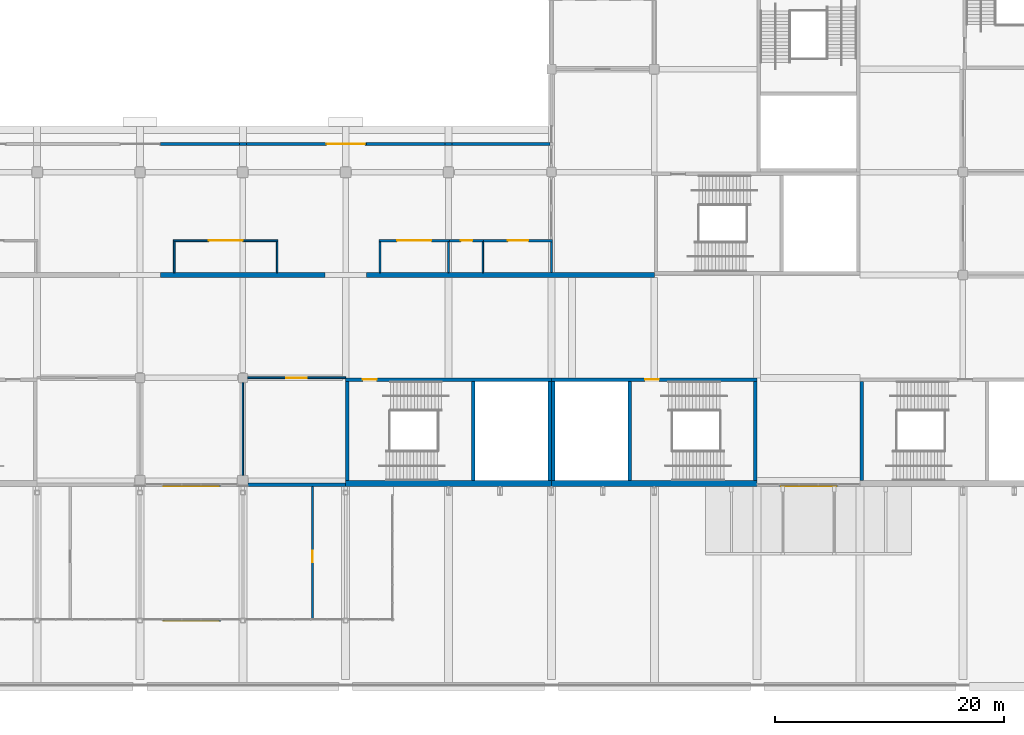
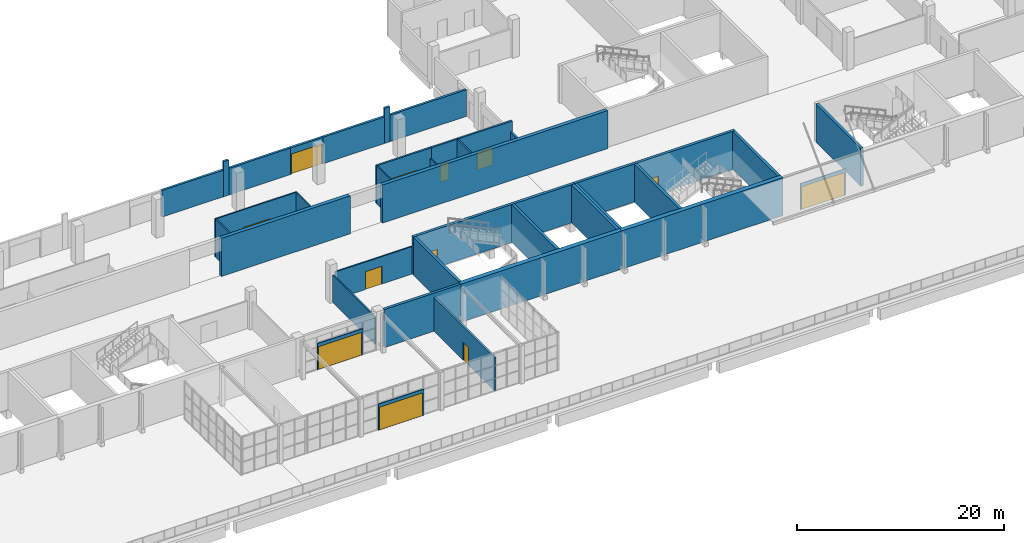
# One storey, part 99 of 168: 37 walls, 12 doors, 12 openings.
"""IFC4 building model written with IfcOpenShell, lengths in metres."""

from ifc_helpers import new_model, si_unit, direction, frame, frame_2d, origin, place, context, subcontext, project, spatial, rectangle, extrude, material, layer, layer_set, type_object, element, fill, save


model = new_model("IFC4")

# Units and contexts
model_context = context("Model", 3, precision=1e-05, world=origin(), true_north=direction((0.0, 1.0)))
body_context = subcontext(model_context, "Body", "Model", "MODEL_VIEW")
ifc_project = project(units=[si_unit("LENGTHUNIT", "METRE"), si_unit("AREAUNIT", "SQUARE_METRE"), si_unit("VOLUMEUNIT", "CUBIC_METRE"), si_unit("PLANEANGLEUNIT", "RADIAN"), si_unit("MASSUNIT", "GRAM", prefix="KILO")], contexts=[model_context])

# Site, building, storey
site_placement = place(None, origin())
site = spatial("IfcSite", under=ifc_project, at=site_placement, CompositionType="ELEMENT")
building_placement = place(site_placement, origin())
building = spatial("IfcBuilding", under=site, at=building_placement, Name="Silverbay Arena", CompositionType="ELEMENT")
storey_placement = place(building_placement, frame((0.0, 0.0, 7.0)))
storey = spatial("IfcBuildingStorey", under=building, at=storey_placement, Name="L01", CompositionType="ELEMENT", Elevation=7.0)

# Wall
ifc_material_1 = material(Name="Concrete Grade C45 precast, board-marked finish", Category="concrete")
ifc_layer_1 = layer(ifc_material_1, 0.300048828125)
ifc_layer_set_1 = layer_set([ifc_layer_1], Name="Concrete Grade C45 precast, board-marked finish")
wall_type_1 = type_object("IfcWallType", Name="Board-marked precast wall 300", PredefinedType="SOLIDWALL", material=ifc_layer_set_1)
wall_1_placement = place(storey_placement, frame((135.449951171875, 17.64990234375, 0.0), z_axis=(0.0, 0.0, 1.0), x_axis=(1.0, 0.0, 0.0)))
element("IfcWall", 1, at=wall_1_placement, inside=storey, type_object=wall_type_1, Name="South external wall L01 bay 13", PredefinedType="SOLIDWALL", context=body_context, shape_type="SweptSolid", body=[
    extrude(rectangle(XDim=8.550048828125, YDim=0.300048828125, at=frame_2d((4.27490234375, 0.0))), origin(), (0.0, 0.0, 1.0), 4.5),
])

# Wall, opening, door
ifc_material_2 = material(Name="Concrete Grade C45", Category="concrete")
ifc_layer_2 = layer(ifc_material_2, 0.25)
ifc_layer_set_2 = layer_set([ifc_layer_2], Name="Concrete Grade C45")
wall_type_2 = type_object("IfcWallType", Name="Bowl enclosure wall RC 250 EI 120", PredefinedType="SOLIDWALL", material=ifc_layer_set_2)
wall_2_placement = place(storey_placement, frame((142.199951171875, 47.47509765625, 0.0), z_axis=(0.0, 0.0, 1.0), x_axis=(1.0, 0.0, 0.0)))
wall_2 = element("IfcWall", 2, at=wall_2_placement, inside=storey, type_object=wall_type_2, Name="portal vomitory South 144", PredefinedType="SOLIDWALL", context=body_context, shape_type="SweptSolid", body=[
    extrude(rectangle(XDim=3.60009765625, YDim=0.25, at=frame_2d((1.800048828125, 0.0))), origin(), (0.0, 0.0, 1.0), 3.14990234375),
])
opening_1_placement = place(wall_2_placement, frame((0.10009765625, 0.0, 0.0)))
opening_1 = element("IfcOpeningElement", 3, at=opening_1_placement, cuts=wall_2, Name="Opening L01-160", PredefinedType="OPENING", context=body_context, shape_type="SweptSolid", body=[
    extrude(rectangle(XDim=3.39990234375, YDim=2.39990234375, at=frame_2d((1.699951171875, 1.199951171875))), frame((0.0, 0.135009765625, 0.0), z_axis=(0.0, -1.0, 0.0), x_axis=(1.0, 0.0, 0.0)), (0.0, 0.0, 1.0), 0.27001953125),
])
ifc_material_3 = material(Name="Steel", Category="steel")
door_type_1 = type_object("IfcDoorType", Name="Fire door set 3400 x 2400 FD120S portal", OperationType="DOUBLE_DOOR_SINGLE_SWING", PredefinedType="DOOR", material=ifc_material_3)
door_1_placement = place(opening_1_placement, frame((3.39990234375, 0.0, 0.0), z_axis=(0.0, 0.0, 1.0), x_axis=(-1.0, 0.0, 0.0)))
door_1 = element("IfcDoor", 4, at=door_1_placement, inside=storey, type_object=door_type_1, Name="Fire door set L01 portal vomitory South 144", OperationType="DOUBLE_DOOR_SINGLE_SWING", OverallHeight=2.39990234375, OverallWidth=3.39990234375, PredefinedType="DOOR", context=body_context, shape_type="SweptSolid", body=[
    extrude(rectangle(XDim=3.39990234375, YDim=2.39990234375, at=frame_2d((1.699951171875, 1.199951171875))), frame((0.0, 0.02490234375, 0.0), z_axis=(0.0, -1.0, 0.0), x_axis=(1.0, 0.0, 0.0)), (0.0, 0.0, 1.0), 0.050048828125),
])
fill(opening_1, door_1)

# Walls
wall_3_placement = place(storey_placement, frame((127.800048828125, 47.47509765625, 0.0), z_axis=(0.0, 0.0, 1.0), x_axis=(1.0, 0.0, 0.0)))
element("IfcWall", 5, at=wall_3_placement, inside=storey, type_object=wall_type_2, Name="Bowl enclosure wall, South stand", PredefinedType="SOLIDWALL", context=body_context, shape_type="SweptSolid", body=[
    extrude(rectangle(XDim=6.89990234375, YDim=0.25, at=frame_2d((3.449951171875, 0.0))), origin(), (0.0, 0.0, 1.0), 3.14990234375),
])
wall_4_placement = place(storey_placement, frame((153.300048828125, 47.47509765625, 0.0), z_axis=(0.0, 0.0, 1.0), x_axis=(1.0, 0.0, 0.0)))
element("IfcWall", 6, at=wall_4_placement, inside=storey, type_object=wall_type_2, Name="Bowl enclosure wall, South stand", PredefinedType="SOLIDWALL", context=body_context, shape_type="SweptSolid", body=[
    extrude(rectangle(XDim=8.574951171875, YDim=0.25, at=frame_2d((4.28759765625, 0.0))), origin(), (0.0, 0.0, 1.0), 3.14990234375),
])
wall_5_placement = place(storey_placement, frame((134.699951171875, 47.47509765625, 0.0), z_axis=(0.0, 0.0, 1.0), x_axis=(1.0, 0.0, 0.0)))
element("IfcWall", 7, at=wall_5_placement, inside=storey, type_object=wall_type_2, Name="Bowl enclosure wall, South stand", PredefinedType="SOLIDWALL", context=body_context, shape_type="SweptSolid", body=[
    extrude(rectangle(XDim=0.60009765625, YDim=0.25, at=frame_2d((0.300048828125, 0.0))), origin(), (0.0, 0.0, 1.0), 4.14990234375),
])
for number, where, z_axis, x_axis, name in (
    (8, (135.300048828125, 47.47509765625, 0.0), (0.0, 0.0, 1.0), (1.0, 0.0, 0.0), "Bowl enclosure wall, South stand"),
    (9, (145.800048828125, 47.47509765625, 0.0), (0.0, 0.0, 1.0), (1.0, 0.0, 0.0), "Bowl enclosure wall, South stand"),
):
    element("IfcWall", number, at=place(storey_placement, frame(where, z_axis=z_axis, x_axis=x_axis)), inside=storey, type_object=wall_type_2, Name=name, PredefinedType="SOLIDWALL", context=body_context, shape_type="SweptSolid", body=[
        extrude(rectangle(XDim=6.89990234375, YDim=0.25, at=frame_2d((3.449951171875, 0.0))), origin(), (0.0, 0.0, 1.0), 3.14990234375),
    ])
wall_6_placement = place(storey_placement, frame((152.699951171875, 47.47509765625, 0.0), z_axis=(0.0, 0.0, 1.0), x_axis=(1.0, 0.0, 0.0)))
element("IfcWall", 10, at=wall_6_placement, inside=storey, type_object=wall_type_2, Name="Bowl enclosure wall, South stand", PredefinedType="SOLIDWALL", context=body_context, shape_type="SweptSolid", body=[
    extrude(rectangle(XDim=0.60009765625, YDim=0.25, at=frame_2d((0.300048828125, 0.0))), origin(), (0.0, 0.0, 1.0), 4.14990234375),
])

# Wall, opening, door
ifc_material_4 = material(Name="Concrete Grade C45", Category="concrete")
ifc_layer_3 = layer(ifc_material_4, 0.300048828125)
ifc_layer_set_3 = layer_set([ifc_layer_3], Name="Concrete Grade C45")
wall_type_3 = type_object("IfcWallType", Name="Core wall RC 300 EI 120", PredefinedType="SHEAR", material=ifc_layer_set_3)
wall_7_placement = place(storey_placement, frame((144.0, 26.85009765625, 0.0), z_axis=(0.0, 0.0, 1.0), x_axis=(1.0, 0.0, 0.0)))
wall_7 = element("IfcWall", 11, at=wall_7_placement, inside=storey, type_object=wall_type_3, Name="Core wall ST-S3 L01 door side", PredefinedType="SHEAR", context=body_context, shape_type="SweptSolid", body=[
    extrude(rectangle(XDim=18.0, YDim=0.300048828125, at=frame_2d((9.0, 0.0))), origin(), (0.0, 0.0, 1.0), 4.5),
])
opening_2_placement = place(wall_7_placement, frame((1.5, 0.0, 0.0)))
opening_2 = element("IfcOpeningElement", 12, at=opening_2_placement, cuts=wall_7, Name="Opening L01-103", PredefinedType="OPENING", context=body_context, shape_type="SweptSolid", body=[
    extrude(rectangle(XDim=1.199951171875, YDim=2.10009765625, at=frame_2d((0.60009765625, 1.050048828125))), frame((0.0, 0.16015625, 0.0), z_axis=(0.0, -1.0, 0.0), x_axis=(1.0, 0.0, 0.0)), (0.0, 0.0, 1.0), 0.320068359375),
])
ifc_material_5 = material(Name="Steel fire door", Category="steel")
door_type_2 = type_object("IfcDoorType", Name="Stair door 1200 x 2100 fire door", OperationType="SINGLE_SWING_LEFT", PredefinedType="DOOR", material=ifc_material_5)
door_2_placement = place(opening_2_placement, frame((1.199951171875, 0.0, 0.0), z_axis=(0.0, 0.0, 1.0), x_axis=(-1.0, 0.0, 0.0)))
door_2 = element("IfcDoor", 13, at=door_2_placement, inside=storey, type_object=door_type_2, Name="Stair door ST-S3 L01", OperationType="SINGLE_SWING_RIGHT", OverallHeight=2.10009765625, OverallWidth=1.199951171875, PredefinedType="DOOR", context=body_context, shape_type="SweptSolid", body=[
    extrude(rectangle(XDim=1.199951171875, YDim=2.10009765625, at=frame_2d((0.60009765625, 1.050048828125))), frame((0.0, 0.02490234375, 0.0), z_axis=(0.0, -1.0, 0.0), x_axis=(1.0, 0.0, 0.0)), (0.0, 0.0, 1.0), 0.050048828125),
])
fill(opening_2, door_2)

# Walls
for number, where, z_axis, x_axis, name in (
    (14, (144.14990234375, 26.699951171875, 0.0), (0.0, 0.0, 1.0), (0.0, -1.0, 0.0), "Core wall ST-S3 L01 end 1"),
    (15, (161.85009765625, 26.699951171875, 0.0), (0.0, 0.0, 1.0), (0.0, -1.0, 0.0), "Core wall ST-S3 L01 end 2"),
    (16, (155.14990234375, 26.699951171875, 0.0), (0.0, 0.0, 1.0), (0.0, -1.0, 0.0), "Core wall ST-S3 L01 stair enclosure"),
):
    element("IfcWall", number, at=place(storey_placement, frame(where, z_axis=z_axis, x_axis=x_axis)), inside=storey, type_object=wall_type_3, Name=name, PredefinedType="SHEAR", context=body_context, shape_type="SweptSolid", body=[
        extrude(rectangle(XDim=8.699951171875, YDim=0.300048828125, at=frame_2d((4.35009765625, 0.0))), origin(), (0.0, 0.0, 1.0), 4.5),
    ])

# Wall, opening, door
wall_8_placement = place(storey_placement, frame((180.0, 26.85009765625, 0.0), z_axis=(0.0, 0.0, 1.0), x_axis=(-1.0, 0.0, 0.0)))
wall_8 = element("IfcWall", 17, at=wall_8_placement, inside=storey, type_object=wall_type_3, Name="Core wall ST-S4 L01 door side", PredefinedType="SHEAR", context=body_context, shape_type="SweptSolid", body=[
    extrude(rectangle(XDim=18.0, YDim=0.300048828125, at=frame_2d((9.0, 0.0))), origin(), (0.0, 0.0, 1.0), 4.5),
])
opening_3_placement = place(wall_8_placement, frame((8.60009765625, 0.0, 0.0)))
opening_3 = element("IfcOpeningElement", 18, at=opening_3_placement, cuts=wall_8, Name="Opening L01-104", PredefinedType="OPENING", context=body_context, shape_type="SweptSolid", body=[
    extrude(rectangle(XDim=1.199951171875, YDim=2.10009765625, at=frame_2d((0.60009765625, 1.050048828125))), frame((0.0, 0.16015625, 0.0), z_axis=(0.0, -1.0, 0.0), x_axis=(1.0, 0.0, 0.0)), (0.0, 0.0, 1.0), 0.320068359375),
])
door_3_placement = place(opening_3_placement, origin())
door_3 = element("IfcDoor", 19, at=door_3_placement, inside=storey, type_object=door_type_2, Name="Stair door ST-S4 L01", OperationType="SINGLE_SWING_RIGHT", OverallHeight=2.10009765625, OverallWidth=1.199951171875, PredefinedType="DOOR", context=body_context, shape_type="SweptSolid", body=[
    extrude(rectangle(XDim=1.199951171875, YDim=2.10009765625, at=frame_2d((0.60009765625, 1.050048828125))), frame((0.0, 0.02490234375, 0.0), z_axis=(0.0, -1.0, 0.0), x_axis=(1.0, 0.0, 0.0)), (0.0, 0.0, 1.0), 0.050048828125),
])
fill(opening_3, door_3)

# Walls
for number, where, z_axis, x_axis, name in (
    (20, (179.85009765625, 26.699951171875, 0.0), (0.0, 0.0, 1.0), (0.0, -1.0, 0.0), "Core wall ST-S4 L01 end 1"),
    (21, (162.14990234375, 26.699951171875, 0.0), (0.0, 0.0, 1.0), (0.0, -1.0, 0.0), "Core wall ST-S4 L01 end 2"),
    (22, (168.85009765625, 26.699951171875, 0.0), (0.0, 0.0, 1.0), (0.0, -1.0, 0.0), "Core wall ST-S4 L01 stair enclosure"),
    (23, (189.14990234375, 26.699951171875, 0.0), (0.0, 0.0, 1.0), (0.0, -1.0, 0.0), "Core wall ST-S6 L01 end 1"),
):
    element("IfcWall", number, at=place(storey_placement, frame(where, z_axis=z_axis, x_axis=x_axis)), inside=storey, type_object=wall_type_3, Name=name, PredefinedType="SHEAR", context=body_context, shape_type="SweptSolid", body=[
        extrude(rectangle(XDim=8.699951171875, YDim=0.300048828125, at=frame_2d((4.35009765625, 0.0))), origin(), (0.0, 0.0, 1.0), 4.5),
    ])
ifc_material_6 = material(Name="Concrete Grade C45", Category="concrete")
ifc_layer_4 = layer(ifc_material_6, 0.5)
ifc_layer_set_4 = layer_set([ifc_layer_4], Name="Concrete Grade C45")
wall_type_4 = type_object("IfcWallType", Name="Core wall RC 500 external EI 120", PredefinedType="SHEAR", material=ifc_layer_set_4)
for number, where, z_axis, x_axis, name in (
    (24, (144.0, 17.75, 0.0), (0.0, 0.0, 1.0), (1.0, 0.0, 0.0), "Core wall ST-S3 L01 facade side"),
    (25, (180.0, 17.75, 0.0), (0.0, 0.0, 1.0), (-1.0, 0.0, 0.0), "Core wall ST-S4 L01 facade side"),
):
    element("IfcWall", number, at=place(storey_placement, frame(where, z_axis=z_axis, x_axis=x_axis)), inside=storey, type_object=wall_type_4, Name=name, PredefinedType="SHEAR", context=body_context, shape_type="SweptSolid", body=[
        extrude(rectangle(XDim=18.0, YDim=0.5, at=frame_2d((9.0, 0.0))), origin(), (0.0, 0.0, 1.0), 4.5),
    ])

# Wall, opening, door
ifc_material_7 = material(Name="Aluminium and glass", Category="aluminium")
ifc_layer_5 = layer(ifc_material_7, 0.10009765625)
ifc_layer_set_5 = layer_set([ifc_layer_5], Name="Aluminium and glass")
wall_type_5 = type_object("IfcWallType", Name="Glazed entrance screen 100", PredefinedType="SOLIDWALL", material=ifc_layer_set_5)
wall_9_placement = place(storey_placement, frame((127.949951171875, 17.550048828125, 0.0), z_axis=(0.0, 0.0, 1.0), x_axis=(1.0, 0.0, 0.0)))
wall_9 = element("IfcWall", 26, at=wall_9_placement, inside=storey, type_object=wall_type_5, Name="South entrance screen L01 bay 12", PredefinedType="SOLIDWALL", context=body_context, shape_type="SweptSolid", body=[
    extrude(rectangle(XDim=5.10009765625, YDim=0.10009765625, at=frame_2d((2.550048828125, 0.0))), origin(), (0.0, 0.0, 1.0), 3.10009765625),
])
opening_4_placement = place(wall_9_placement, frame((0.14990234375, 0.0, 0.0)))
opening_4 = element("IfcOpeningElement", 27, at=opening_4_placement, cuts=wall_9, Name="Opening L01-088", PredefinedType="OPENING", context=body_context, shape_type="SweptSolid", body=[
    extrude(rectangle(XDim=4.800048828125, YDim=2.699951171875, at=frame_2d((2.39990234375, 1.35009765625))), frame((0.0, 0.06005859375, 0.0), z_axis=(0.0, -1.0, 0.0), x_axis=(1.0, 0.0, 0.0)), (0.0, 0.0, 1.0), 0.1201171875),
])
ifc_material_8 = material(Name="Aluminium and glass", Category="aluminium")
door_type_3 = type_object("IfcDoorType", Name="Entrance door 4800 x 2700", OperationType="DOUBLE_DOOR_SINGLE_SWING", PredefinedType="DOOR", material=ifc_material_8)
door_4_placement = place(opening_4_placement, frame((4.800048828125, 0.0, 0.0), z_axis=(0.0, 0.0, 1.0), x_axis=(-1.0, 0.0, 0.0)))
door_4 = element("IfcDoor", 28, at=door_4_placement, inside=storey, type_object=door_type_3, Name="Main entrance E2", OperationType="DOUBLE_DOOR_SINGLE_SWING", OverallHeight=2.699951171875, OverallWidth=4.800048828125, PredefinedType="DOOR", context=body_context, shape_type="SweptSolid", body=[
    extrude(rectangle(XDim=4.800048828125, YDim=2.699951171875, at=frame_2d((2.39990234375, 1.35009765625))), frame((0.0, 0.02490234375, 0.0), z_axis=(0.0, -1.0, 0.0), x_axis=(1.0, 0.0, 0.0)), (0.0, 0.0, 1.0), 0.050048828125),
])
fill(opening_4, door_4)

wall_10_placement = place(storey_placement, frame((181.949951171875, 17.550048828125, 0.0), z_axis=(0.0, 0.0, 1.0), x_axis=(1.0, 0.0, 0.0)))
wall_10 = element("IfcWall", 29, at=wall_10_placement, inside=storey, type_object=wall_type_5, Name="South entrance screen L01 bay 18", PredefinedType="SOLIDWALL", context=body_context, shape_type="SweptSolid", body=[
    extrude(rectangle(XDim=5.10009765625, YDim=0.10009765625, at=frame_2d((2.550048828125, 0.0))), origin(), (0.0, 0.0, 1.0), 3.10009765625),
])
opening_5_placement = place(wall_10_placement, frame((0.14990234375, 0.0, 0.0)))
opening_5 = element("IfcOpeningElement", 30, at=opening_5_placement, cuts=wall_10, Name="Opening L01-089", PredefinedType="OPENING", context=body_context, shape_type="SweptSolid", body=[
    extrude(rectangle(XDim=4.800048828125, YDim=2.699951171875, at=frame_2d((2.39990234375, 1.35009765625))), frame((0.0, 0.06005859375, 0.0), z_axis=(0.0, -1.0, 0.0), x_axis=(1.0, 0.0, 0.0)), (0.0, 0.0, 1.0), 0.1201171875),
])
door_5_placement = place(opening_5_placement, frame((4.800048828125, 0.0, 0.0), z_axis=(0.0, 0.0, 1.0), x_axis=(-1.0, 0.0, 0.0)))
door_5 = element("IfcDoor", 31, at=door_5_placement, inside=storey, type_object=door_type_3, Name="Main entrance E3", OperationType="DOUBLE_DOOR_SINGLE_SWING", OverallHeight=2.699951171875, OverallWidth=4.800048828125, PredefinedType="DOOR", context=body_context, shape_type="SweptSolid", body=[
    extrude(rectangle(XDim=4.800048828125, YDim=2.699951171875, at=frame_2d((2.39990234375, 1.35009765625))), frame((0.0, 0.02490234375, 0.0), z_axis=(0.0, -1.0, 0.0), x_axis=(1.0, 0.0, 0.0)), (0.0, 0.0, 1.0), 0.050048828125),
])
fill(opening_5, door_5)

wall_11_placement = place(storey_placement, frame((127.949951171875, 5.75, 0.0), z_axis=(0.0, 0.0, 1.0), x_axis=(1.0, 0.0, 0.0)))
wall_11 = element("IfcWall", 32, at=wall_11_placement, inside=storey, type_object=wall_type_5, Name="South entrance hall S1 entrance screen", PredefinedType="SOLIDWALL", context=body_context, shape_type="SweptSolid", body=[
    extrude(rectangle(XDim=5.10009765625, YDim=0.10009765625, at=frame_2d((2.550048828125, 0.0))), origin(), (0.0, 0.0, 1.0), 3.10009765625),
])
opening_6_placement = place(wall_11_placement, frame((0.14990234375, 0.0, 0.0)))
opening_6 = element("IfcOpeningElement", 33, at=opening_6_placement, cuts=wall_11, Name="Opening L01-097", PredefinedType="OPENING", context=body_context, shape_type="SweptSolid", body=[
    extrude(rectangle(XDim=4.800048828125, YDim=2.699951171875, at=frame_2d((2.39990234375, 1.35009765625))), frame((0.0, 0.06005859375, 0.0), z_axis=(0.0, -1.0, 0.0), x_axis=(1.0, 0.0, 0.0)), (0.0, 0.0, 1.0), 0.1201171875),
])
door_6_placement = place(opening_6_placement, frame((4.800048828125, 0.0, 0.0), z_axis=(0.0, 0.0, 1.0), x_axis=(-1.0, 0.0, 0.0)))
door_6 = element("IfcDoor", 34, at=door_6_placement, inside=storey, type_object=door_type_3, Name="Entrance hall door", OperationType="DOUBLE_DOOR_SINGLE_SWING", OverallHeight=2.699951171875, OverallWidth=4.800048828125, PredefinedType="DOOR", context=body_context, shape_type="SweptSolid", body=[
    extrude(rectangle(XDim=4.800048828125, YDim=2.699951171875, at=frame_2d((2.39990234375, 1.35009765625))), frame((0.0, 0.02490234375, 0.0), z_axis=(0.0, -1.0, 0.0), x_axis=(1.0, 0.0, 0.0)), (0.0, 0.0, 1.0), 0.050048828125),
])
fill(opening_6, door_6)

ifc_material_9 = material(Name="Gypsum board partition on steel studs", Category="steel")
ifc_layer_6 = layer(ifc_material_9, 0.14990234375)
ifc_layer_set_6 = layer_set([ifc_layer_6], Name="Gypsum board partition on steel studs")
wall_type_6 = type_object("IfcWallType", Name="Partition 150 EI 60", PredefinedType="PARTITIONING", material=ifc_layer_set_6)
wall_12_placement = place(storey_placement, frame((135.39990234375, 27.0, 0.0), z_axis=(0.0, 0.0, 1.0), x_axis=(1.0, 0.0, 0.0)))
wall_12 = element("IfcWall", 35, at=wall_12_placement, inside=storey, type_object=wall_type_6, Name="Partition wall", PredefinedType="PARTITIONING", context=body_context, shape_type="SweptSolid", body=[
    extrude(rectangle(XDim=8.60009765625, YDim=0.14990234375, at=frame_2d((4.300048828125, 0.0))), origin(), (0.0, 0.0, 1.0), 3.25),
])
opening_7_placement = place(wall_12_placement, frame((3.39990234375, 0.0, 0.0)))
opening_7 = element("IfcOpeningElement", 36, at=opening_7_placement, cuts=wall_12, Name="Opening L01-002", PredefinedType="OPENING", context=body_context, shape_type="SweptSolid", body=[
    extrude(rectangle(XDim=1.800048828125, YDim=2.10009765625, at=frame_2d((0.89990234375, 1.050048828125))), frame((0.0, 0.0849609375, 0.0), z_axis=(0.0, -1.0, 0.0), x_axis=(1.0, 0.0, 0.0)), (0.0, 0.0, 1.0), 0.169921875),
])
ifc_material_10 = material(Name="Steel faced timber", Category="steel")
door_type_4 = type_object("IfcDoorType", Name="Double leaf door 1800 x 2100 FD30S", OperationType="DOUBLE_DOOR_DOUBLE_SWING", PredefinedType="DOOR", material=ifc_material_10)
door_7_placement = place(opening_7_placement, frame((1.800048828125, 0.0, 0.0), z_axis=(0.0, 0.0, 1.0), x_axis=(-1.0, 0.0, 0.0)))
door_7 = element("IfcDoor", 37, at=door_7_placement, inside=storey, type_object=door_type_4, Name="Door L01-002", OperationType="DOUBLE_DOOR_DOUBLE_SWING", OverallHeight=2.10009765625, OverallWidth=1.800048828125, PredefinedType="DOOR", context=body_context, shape_type="SweptSolid", body=[
    extrude(rectangle(XDim=1.800048828125, YDim=2.10009765625, at=frame_2d((0.89990234375, 1.050048828125))), frame((0.0, 0.02490234375, 0.0), z_axis=(0.0, -1.0, 0.0), x_axis=(1.0, 0.0, 0.0)), (0.0, 0.0, 1.0), 0.050048828125),
])
fill(opening_7, door_7)

wall_13_placement = place(storey_placement, frame((128.925048828125, 39.0, 0.0), z_axis=(0.0, 0.0, 1.0), x_axis=(1.0, 0.0, 0.0)))
wall_13 = element("IfcWall", 38, at=wall_13_placement, inside=storey, type_object=wall_type_6, Name="Partition wall", PredefinedType="PARTITIONING", context=body_context, shape_type="SweptSolid", body=[
    extrude(rectangle(XDim=9.14990234375, YDim=0.14990234375, at=frame_2d((4.574951171875, 0.0))), origin(), (0.0, 0.0, 1.0), 4.5),
])
opening_8_placement = place(wall_13_placement, frame((3.074951171875, 0.0, 0.0)))
opening_8 = element("IfcOpeningElement", 39, at=opening_8_placement, cuts=wall_13, Name="Opening L01-020", PredefinedType="OPENING", context=body_context, shape_type="SweptSolid", body=[
    extrude(rectangle(XDim=3.0, YDim=2.39990234375, at=frame_2d((1.5, 1.199951171875))), frame((0.0, 0.0849609375, 0.0), z_axis=(0.0, -1.0, 0.0), x_axis=(1.0, 0.0, 0.0)), (0.0, 0.0, 1.0), 0.169921875),
])
ifc_material_11 = material(Name="Steel", Category="steel")
door_type_5 = type_object("IfcDoorType", Name="Roller shutter 3000 x 2400 FD30S", OperationType="ROLLINGUP", PredefinedType="DOOR", material=ifc_material_11)
door_8_placement = place(opening_8_placement, origin())
door_8 = element("IfcDoor", 40, at=door_8_placement, inside=storey, type_object=door_type_5, Name="Door L01-020", OperationType="ROLLINGUP", OverallHeight=2.39990234375, OverallWidth=3.0, PredefinedType="DOOR", context=body_context, shape_type="SweptSolid", body=[
    extrude(rectangle(XDim=3.0, YDim=2.39990234375, at=frame_2d((1.5, 1.199951171875))), frame((0.0, 0.02490234375, 0.0), z_axis=(0.0, -1.0, 0.0), x_axis=(1.0, 0.0, 0.0)), (0.0, 0.0, 1.0), 0.050048828125),
])
fill(opening_8, door_8)

# Walls
wall_14_placement = place(storey_placement, frame((129.0, 36.199951171875, 0.0), z_axis=(0.0, 0.0, 1.0), x_axis=(0.0, 1.0, 0.0)))
element("IfcWall", 41, at=wall_14_placement, inside=storey, type_object=wall_type_6, Name="Partition wall", PredefinedType="PARTITIONING", context=body_context, shape_type="SweptSolid", body=[
    extrude(rectangle(XDim=2.72509765625, YDim=0.14990234375, at=frame_2d((1.362548828125, 0.0))), origin(), (0.0, 0.0, 1.0), 4.5),
])
wall_15_placement = place(storey_placement, frame((135.0, 18.449951171875, 0.0), z_axis=(0.0, 0.0, 1.0), x_axis=(0.0, 1.0, 0.0)))
element("IfcWall", 42, at=wall_15_placement, inside=storey, type_object=wall_type_6, Name="Partition wall", PredefinedType="PARTITIONING", context=body_context, shape_type="SweptSolid", body=[
    extrude(rectangle(XDim=8.150146484375, YDim=0.14990234375, at=frame_2d((4.0751953125, 0.0))), origin(), (0.0, 0.0, 1.0), 3.25),
])
wall_16_placement = place(storey_placement, frame((138.0, 36.199951171875, 0.0), z_axis=(0.0, 0.0, 1.0), x_axis=(0.0, 1.0, 0.0)))
element("IfcWall", 43, at=wall_16_placement, inside=storey, type_object=wall_type_6, Name="Partition wall", PredefinedType="PARTITIONING", context=body_context, shape_type="SweptSolid", body=[
    extrude(rectangle(XDim=2.72509765625, YDim=0.14990234375, at=frame_2d((1.362548828125, 0.0))), origin(), (0.0, 0.0, 1.0), 4.5),
])
wall_17_placement = place(storey_placement, frame((147.0, 36.199951171875, 0.0), z_axis=(0.0, 0.0, 1.0), x_axis=(0.0, 1.0, 0.0)))
element("IfcWall", 44, at=wall_17_placement, inside=storey, type_object=wall_type_6, Name="Partition wall", PredefinedType="PARTITIONING", context=body_context, shape_type="SweptSolid", body=[
    extrude(rectangle(XDim=2.699951171875, YDim=0.14990234375, at=frame_2d((1.35009765625, 0.0))), origin(), (0.0, 0.0, 1.0), 4.5),
])
wall_18_placement = place(storey_placement, frame((153.0, 36.199951171875, 0.0), z_axis=(0.0, 0.0, 1.0), x_axis=(0.0, 1.0, 0.0)))
element("IfcWall", 45, at=wall_18_placement, inside=storey, type_object=wall_type_6, Name="Partition wall", PredefinedType="PARTITIONING", context=body_context, shape_type="SweptSolid", body=[
    extrude(rectangle(XDim=2.699951171875, YDim=0.14990234375, at=frame_2d((1.35009765625, 0.0))), origin(), (0.0, 0.0, 1.0), 3.25),
])
wall_19_placement = place(storey_placement, frame((156.0, 36.199951171875, 0.0), z_axis=(0.0, 0.0, 1.0), x_axis=(0.0, 1.0, 0.0)))
element("IfcWall", 46, at=wall_19_placement, inside=storey, type_object=wall_type_6, Name="Partition wall", PredefinedType="PARTITIONING", context=body_context, shape_type="SweptSolid", body=[
    extrude(rectangle(XDim=2.699951171875, YDim=0.14990234375, at=frame_2d((1.35009765625, 0.0))), origin(), (0.0, 0.0, 1.0), 4.5),
])

# Wall, opening, door
ifc_material_12 = material(Name="Masonry blockwork partition", Category="masonry")
ifc_layer_7 = layer(ifc_material_12, 0.199951171875)
ifc_layer_set_7 = layer_set([ifc_layer_7], Name="Masonry blockwork partition")
wall_type_7 = type_object("IfcWallType", Name="Partition 200 EI 120", PredefinedType="PARTITIONING", material=ifc_layer_set_7)
wall_20_placement = place(storey_placement, frame((156.074951171875, 39.0, 0.0), z_axis=(0.0, 0.0, 1.0), x_axis=(1.0, 0.0, 0.0)))
wall_20 = element("IfcWall", 47, at=wall_20_placement, inside=storey, type_object=wall_type_7, Name="Partition wall", PredefinedType="PARTITIONING", context=body_context, shape_type="SweptSolid", body=[
    extrude(rectangle(XDim=6.025146484375, YDim=0.199951171875, at=frame_2d((3.0126953125, 0.0))), origin(), (0.0, 0.0, 1.0), 4.5),
])
opening_9_placement = place(wall_20_placement, frame((2.113037109375, 0.0, 0.0)))
opening_9 = element("IfcOpeningElement", 48, at=opening_9_placement, cuts=wall_20, Name="Opening L01-023", PredefinedType="OPENING", context=body_context, shape_type="SweptSolid", body=[
    extrude(rectangle(XDim=1.800048828125, YDim=2.10009765625, at=frame_2d((0.89990234375, 1.050048828125))), frame((0.0, 0.10986328125, 0.0), z_axis=(0.0, -1.0, 0.0), x_axis=(1.0, 0.0, 0.0)), (0.0, 0.0, 1.0), 0.219970703125),
])
ifc_material_13 = material(Name="Steel faced timber", Category="steel")
door_type_6 = type_object("IfcDoorType", Name="Double leaf door 1800 x 2100 FD120", OperationType="DOUBLE_DOOR_DOUBLE_SWING", PredefinedType="DOOR", material=ifc_material_13)
door_9_placement = place(opening_9_placement, frame((1.800048828125, 0.0, 0.0), z_axis=(0.0, 0.0, 1.0), x_axis=(-1.0, 0.0, 0.0)))
door_9 = element("IfcDoor", 49, at=door_9_placement, inside=storey, type_object=door_type_6, Name="Door L01-023", OperationType="DOUBLE_DOOR_DOUBLE_SWING", OverallHeight=2.10009765625, OverallWidth=1.800048828125, PredefinedType="DOOR", context=body_context, shape_type="SweptSolid", body=[
    extrude(rectangle(XDim=1.800048828125, YDim=2.10009765625, at=frame_2d((0.89990234375, 1.050048828125))), frame((0.0, 0.02490234375, 0.0), z_axis=(0.0, -1.0, 0.0), x_axis=(1.0, 0.0, 0.0)), (0.0, 0.0, 1.0), 0.050048828125),
])
fill(opening_9, door_9)

# Wall
wall_21_placement = place(storey_placement, frame((162.0, 36.199951171875, 0.0), z_axis=(0.0, 0.0, 1.0), x_axis=(0.0, 1.0, 0.0)))
element("IfcWall", 50, at=wall_21_placement, inside=storey, type_object=wall_type_7, Name="Partition wall", PredefinedType="PARTITIONING", context=body_context, shape_type="SweptSolid", body=[
    extrude(rectangle(XDim=2.699951171875, YDim=0.199951171875, at=frame_2d((1.35009765625, 0.0))), origin(), (0.0, 0.0, 1.0), 3.25),
])

# Wall, opening, door
wall_22_placement = place(storey_placement, frame((141.10009765625, 5.81005859375, 0.0), z_axis=(0.0, 0.0, 1.0), x_axis=(0.0, 1.0, 0.0)))
wall_22 = element("IfcWall", 51, at=wall_22_placement, inside=storey, type_object=wall_type_7, Name="Partition wall", PredefinedType="PARTITIONING", context=body_context, shape_type="SweptSolid", body=[
    extrude(rectangle(XDim=11.68994140625, YDim=0.199951171875, at=frame_2d((5.844970703125, 0.0))), origin(), (0.0, 0.0, 1.0), 3.98291015625),
])
opening_10_placement = place(wall_22_placement, frame((5.0400390625, 0.0, 0.0)))
opening_10 = element("IfcOpeningElement", 52, at=opening_10_placement, cuts=wall_22, Name="Opening L01-170", PredefinedType="OPENING", context=body_context, shape_type="SweptSolid", body=[
    extrude(rectangle(XDim=1.0, YDim=2.10009765625, at=frame_2d((0.5, 1.050048828125))), frame((0.0, 0.10986328125, 0.0), z_axis=(0.0, -1.0, 0.0), x_axis=(1.0, 0.0, 0.0)), (0.0, 0.0, 1.0), 0.219970703125),
])
ifc_material_14 = material(Name="Steel faced timber", Category="steel")
door_type_7 = type_object("IfcDoorType", Name="Single leaf door 1000 x 2100 FD120", OperationType="SINGLE_SWING_LEFT", PredefinedType="DOOR", material=ifc_material_14)
door_10_placement = place(opening_10_placement, origin())
door_10 = element("IfcDoor", 53, at=door_10_placement, inside=storey, type_object=door_type_7, Name="Door L01-170", OperationType="SINGLE_SWING_LEFT", OverallHeight=2.10009765625, OverallWidth=1.0, PredefinedType="DOOR", context=body_context, shape_type="SweptSolid", body=[
    extrude(rectangle(XDim=1.0, YDim=2.10009765625, at=frame_2d((0.5, 1.050048828125))), frame((0.0, 0.02490234375, 0.0), z_axis=(0.0, -1.0, 0.0), x_axis=(1.0, 0.0, 0.0)), (0.0, 0.0, 1.0), 0.050048828125),
])
fill(opening_10, door_10)

ifc_material_15 = material(Name="Gypsum board partition on steel studs", Category="steel")
ifc_layer_8 = layer(ifc_material_15, 0.199951171875)
ifc_layer_set_8 = layer_set([ifc_layer_8], Name="Gypsum board partition on steel studs")
wall_type_8 = type_object("IfcWallType", Name="Partition 200 EI 60", PredefinedType="PARTITIONING", material=ifc_layer_set_8)
wall_23_placement = place(storey_placement, frame((146.925048828125, 39.0, 0.0), z_axis=(0.0, 0.0, 1.0), x_axis=(1.0, 0.0, 0.0)))
wall_23 = element("IfcWall", 54, at=wall_23_placement, inside=storey, type_object=wall_type_8, Name="Partition wall", PredefinedType="PARTITIONING", context=body_context, shape_type="SweptSolid", body=[
    extrude(rectangle(XDim=6.14990234375, YDim=0.199951171875, at=frame_2d((3.074951171875, 0.0))), origin(), (0.0, 0.0, 1.0), 4.5),
])
opening_11_placement = place(wall_23_placement, frame((1.574951171875, 0.0, 0.0)))
opening_11 = element("IfcOpeningElement", 55, at=opening_11_placement, cuts=wall_23, Name="Opening L01-021", PredefinedType="OPENING", context=body_context, shape_type="SweptSolid", body=[
    extrude(rectangle(XDim=3.0, YDim=2.39990234375, at=frame_2d((1.5, 1.199951171875))), frame((0.0, 0.10986328125, 0.0), z_axis=(0.0, -1.0, 0.0), x_axis=(1.0, 0.0, 0.0)), (0.0, 0.0, 1.0), 0.219970703125),
])
door_11_placement = place(opening_11_placement, origin())
door_11 = element("IfcDoor", 56, at=door_11_placement, inside=storey, type_object=door_type_5, Name="Door L01-021", OperationType="ROLLINGUP", OverallHeight=2.39990234375, OverallWidth=3.0, PredefinedType="DOOR", context=body_context, shape_type="SweptSolid", body=[
    extrude(rectangle(XDim=3.0, YDim=2.39990234375, at=frame_2d((1.5, 1.199951171875))), frame((0.0, 0.02490234375, 0.0), z_axis=(0.0, -1.0, 0.0), x_axis=(1.0, 0.0, 0.0)), (0.0, 0.0, 1.0), 0.050048828125),
])
fill(opening_11, door_11)

wall_24_placement = place(storey_placement, frame((153.074951171875, 39.0, 0.0), z_axis=(0.0, 0.0, 1.0), x_axis=(1.0, 0.0, 0.0)))
wall_24 = element("IfcWall", 57, at=wall_24_placement, inside=storey, type_object=wall_type_8, Name="Partition wall", PredefinedType="PARTITIONING", context=body_context, shape_type="SweptSolid", body=[
    extrude(rectangle(XDim=3.0, YDim=0.199951171875, at=frame_2d((1.5, 0.0))), origin(), (0.0, 0.0, 1.0), 4.5),
])
opening_12_placement = place(wall_24_placement, frame((1.0, 0.0, 0.0)))
opening_12 = element("IfcOpeningElement", 58, at=opening_12_placement, cuts=wall_24, Name="Opening L01-022", PredefinedType="OPENING", context=body_context, shape_type="SweptSolid", body=[
    extrude(rectangle(XDim=1.0, YDim=2.10009765625, at=frame_2d((0.5, 1.050048828125))), frame((0.0, 0.10986328125, 0.0), z_axis=(0.0, -1.0, 0.0), x_axis=(1.0, 0.0, 0.0)), (0.0, 0.0, 1.0), 0.219970703125),
])
ifc_material_16 = material(Name="Steel faced timber", Category="steel")
door_type_8 = type_object("IfcDoorType", Name="Single leaf door 1000 x 2100 FD30S", OperationType="SINGLE_SWING_LEFT", PredefinedType="DOOR", material=ifc_material_16)
door_12_placement = place(opening_12_placement, frame((1.0, 0.0, 0.0), z_axis=(0.0, 0.0, 1.0), x_axis=(-1.0, 0.0, 0.0)))
door_12 = element("IfcDoor", 59, at=door_12_placement, inside=storey, type_object=door_type_8, Name="Door L01-022", OperationType="SINGLE_SWING_LEFT", OverallHeight=2.10009765625, OverallWidth=1.0, PredefinedType="DOOR", context=body_context, shape_type="SweptSolid", body=[
    extrude(rectangle(XDim=1.0, YDim=2.10009765625, at=frame_2d((0.5, 1.050048828125))), frame((0.0, 0.02490234375, 0.0), z_axis=(0.0, -1.0, 0.0), x_axis=(1.0, 0.0, 0.0)), (0.0, 0.0, 1.0), 0.050048828125),
])
fill(opening_12, door_12)

# Walls
ifc_material_17 = material(Name="Concrete Grade C45", Category="concrete")
ifc_layer_9 = layer(ifc_material_17, 0.39990234375)
ifc_layer_set_9 = layer_set([ifc_layer_9], Name="Concrete Grade C45")
wall_type_9 = type_object("IfcWallType", Name="RC back wall 400 EI 120", PredefinedType="SOLIDWALL", material=ifc_layer_set_9)
wall_25_placement = place(storey_placement, frame((127.800048828125, 36.0, 0.0), z_axis=(0.0, 0.0, 1.0), x_axis=(1.0, 0.0, 0.0)))
element("IfcWall", 60, at=wall_25_placement, inside=storey, type_object=wall_type_9, Name="Bowl back wall L01 02", PredefinedType="SOLIDWALL", context=body_context, shape_type="SweptSolid", body=[
    extrude(rectangle(XDim=14.39990234375, YDim=0.39990234375, at=frame_2d((7.199951171875, 0.0))), origin(), (0.0, 0.0, 1.0), 4.5),
])
wall_26_placement = place(storey_placement, frame((145.800048828125, 36.0, 0.0), z_axis=(0.0, 0.0, 1.0), x_axis=(1.0, 0.0, 0.0)))
element("IfcWall", 61, at=wall_26_placement, inside=storey, type_object=wall_type_9, Name="Bowl back wall L01 03", PredefinedType="SOLIDWALL", context=body_context, shape_type="SweptSolid", body=[
    extrude(rectangle(XDim=25.199951171875, YDim=0.39990234375, at=frame_2d((12.60009765625, 0.0))), origin(), (0.0, 0.0, 1.0), 4.5),
])

save(model, "model.ifc")
